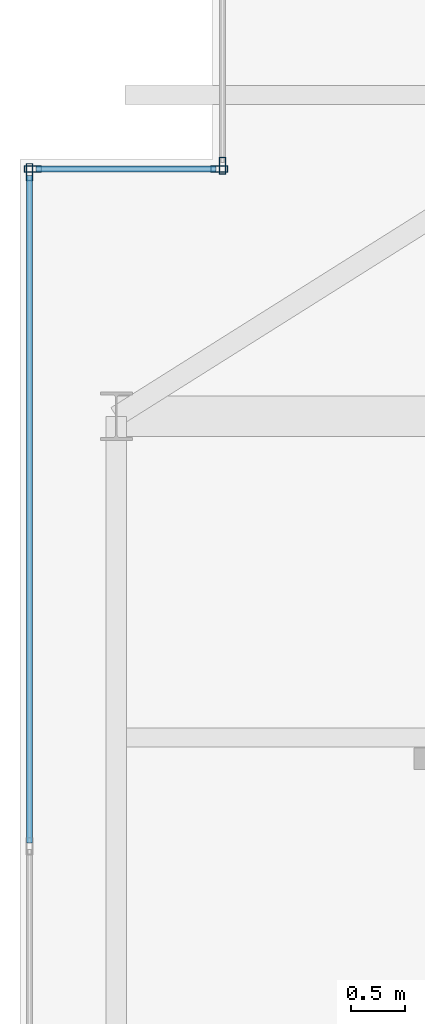
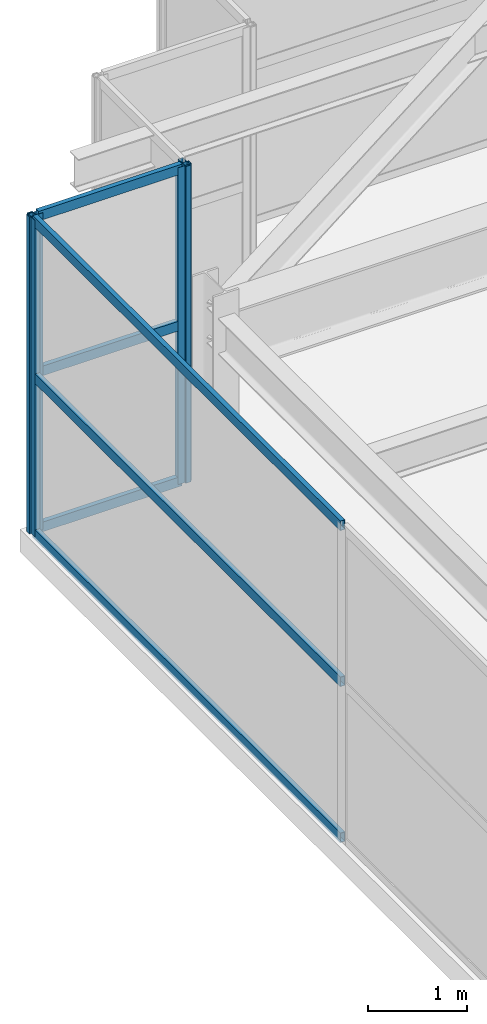
# One storey, part 20 of 32: 10 members, 3 elements without a shape of their own.
"""IFC4 building model written with IfcOpenShell, lengths in metres."""

from ifc_helpers import new_model, si_unit, direction, frame, origin, origin_2d, place, context, subcontext, project, spatial, hollow_rectangle, extrude, source, transform, mapped, material, layer, layer_set, material_profile, profile_set, type_object, element, aggregate, save


model = new_model("IFC4")

# Units and contexts
model_context = context("Model", 3, precision=1e-05, world=origin(), true_north=direction((0.0, 1.0)))
body_context = subcontext(model_context, "Body", "Model", "MODEL_VIEW")
ifc_project = project(units=[si_unit("LENGTHUNIT", "METRE"), si_unit("AREAUNIT", "SQUARE_METRE"), si_unit("VOLUMEUNIT", "CUBIC_METRE"), si_unit("PLANEANGLEUNIT", "RADIAN"), si_unit("MASSUNIT", "GRAM", prefix="KILO")], contexts=[model_context])

# Site, building, storey
site_placement = place(None, origin())
site = spatial("IfcSite", under=ifc_project, at=site_placement, CompositionType="ELEMENT")
building_placement = place(site_placement, origin())
building = spatial("IfcBuilding", under=site, at=building_placement, Name="Khoralis Quay Care Tower", CompositionType="ELEMENT")
storey_placement = place(building_placement, frame((0.0, 0.0, 297.89990234375)))
storey = spatial("IfcBuildingStorey", under=building, at=storey_placement, Name="L78", CompositionType="ELEMENT", Elevation=297.89990234375)

# Curtain wall, member
ifc_material = material(Name="Pale anodised aluminium", Category="aluminium")
ifc_layer = layer(ifc_material, 0.199951171875)
ifc_layer_set = layer_set([ifc_layer], Name="Pale anodised aluminium")
curtain_wall_type = type_object("IfcCurtainWallType", Name="CW-SYS-LANTERN", PredefinedType="NOTDEFINED", material=ifc_layer_set)
curtain_wall_1_placement = place(storey_placement, origin())
curtain_wall_1 = element("IfcCurtainWall", 1, at=curtain_wall_1_placement, inside=storey, type_object=curtain_wall_type, Name="L78 Unitised Curtain Wall CW-LN-L78-14", PredefinedType="NOTDEFINED")
ifc_material_profile_1 = material_profile(ifc_material, hollow_rectangle(XDim=0.06005859375, YDim=0.159912109375, WallThickness=0.00390625, at=origin_2d()), Name="Pale anodised aluminium")
ifc_profile_set_1 = profile_set([ifc_material_profile_1], Name="Pale anodised aluminium")
member_type_1 = type_object("IfcMemberType", Name="CW-MUL-160", PredefinedType="MULLION", material=ifc_profile_set_1)
shared_shape_1 = source(origin(), body_context, "Body", "SweptSolid", [
    extrude(hollow_rectangle(XDim=0.06005859375, YDim=0.159912109375, WallThickness=0.00390625, at=origin_2d()), origin(), (0.0, 0.0, 1.0), 3.920166015625),
])
member_1_placement = place(storey_placement, frame((4.889892578125, 38.340087890625, 0.0), z_axis=(0.0, 0.0, 1.0), x_axis=(1.0, 0.0, 0.0)))
member_1 = element("IfcMember", 2, at=member_1_placement, type_object=member_type_1, Name="CW5 mullion 2", PredefinedType="MULLION", context=body_context, shape_type="MappedRepresentation", body=[
    mapped(shared_shape_1, transform((0.0, 0.0, 0.0), scale=1.0)),
])
aggregate(curtain_wall_1, [member_1])

# Curtain wall, members
curtain_wall_2_placement = place(storey_placement, origin())
curtain_wall_2 = element("IfcCurtainWall", 3, at=curtain_wall_2_placement, inside=storey, type_object=curtain_wall_type, Name="L78 Unitised Curtain Wall CW-LN-L78-15", PredefinedType="NOTDEFINED")
member_2_placement = place(storey_placement, frame((4.860107421875, 38.31005859375, 0.0), z_axis=(0.0, 0.0, 1.0), x_axis=(0.0, -1.0, 0.0)))
member_2 = element("IfcMember", 4, at=member_2_placement, type_object=member_type_1, Name="CW5 mullion 1", PredefinedType="MULLION", context=body_context, shape_type="MappedRepresentation", body=[
    mapped(shared_shape_1, transform((0.0, 0.0, 0.0), scale=1.0)),
])
member_3_placement = place(storey_placement, frame((3.1201171875, 38.31005859375, 0.0), z_axis=(0.0, 0.0, 1.0), x_axis=(0.0, -1.0, 0.0)))
member_3 = element("IfcMember", 5, at=member_3_placement, type_object=member_type_1, Name="CW5 mullion 2", PredefinedType="MULLION", context=body_context, shape_type="MappedRepresentation", body=[
    mapped(shared_shape_1, transform((0.0, 0.0, 0.0), scale=1.0)),
])

curtain_wall_3_placement = place(storey_placement, origin())
curtain_wall_3 = element("IfcCurtainWall", 6, at=curtain_wall_3_placement, inside=storey, type_object=curtain_wall_type, Name="L78 Unitised Curtain Wall CW-LN-L78-16", PredefinedType="NOTDEFINED")
member_4_placement = place(storey_placement, frame((3.090087890625, 38.280029296875, 0.0), z_axis=(0.0, 0.0, 1.0), x_axis=(1.0, 0.0, 0.0)))
member_4 = element("IfcMember", 7, at=member_4_placement, type_object=member_type_1, Name="CW5 mullion 1", PredefinedType="MULLION", context=body_context, shape_type="MappedRepresentation", body=[
    mapped(shared_shape_1, transform((0.0, 0.0, 0.0), scale=1.0)),
])
ifc_material_profile_2 = material_profile(ifc_material, hollow_rectangle(XDim=0.054931640625, YDim=0.1201171875, WallThickness=0.00390625, at=origin_2d()), Name="Pale anodised aluminium")
ifc_profile_set_2 = profile_set([ifc_material_profile_2], Name="Pale anodised aluminium")
member_type_2 = type_object("IfcMemberType", Name="CW-TRN-120", PredefinedType="USERDEFINED", material=ifc_profile_set_2)
shared_shape_2 = source(origin(), body_context, "Body", "SweptSolid", [
    extrude(hollow_rectangle(XDim=0.054931640625, YDim=0.1201171875, WallThickness=0.00390625, at=origin_2d()), origin(), (0.0, 0.0, 1.0), 6.23388671875),
])
member_5_placement = place(storey_placement, frame((3.090087890625, 38.25, 0.030029296875), z_axis=(0.0, -1.0, 0.0), x_axis=(1.0, 0.0, 0.0)))
member_5 = element("IfcMember", 8, at=member_5_placement, type_object=member_type_2, Name="CW5 transom 1.1", ObjectType="TRANSOM", PredefinedType="USERDEFINED", context=body_context, shape_type="MappedRepresentation", body=[
    mapped(shared_shape_2, transform((0.0, 0.0, 0.0), scale=1.0)),
])
member_6_placement = place(storey_placement, frame((3.090087890625, 38.25, 1.960205078125), z_axis=(0.0, -1.0, 0.0), x_axis=(1.0, 0.0, 0.0)))
member_6 = element("IfcMember", 9, at=member_6_placement, type_object=member_type_2, Name="CW5 transom 1.2", ObjectType="TRANSOM", PredefinedType="USERDEFINED", context=body_context, shape_type="MappedRepresentation", body=[
    mapped(shared_shape_2, transform((0.0, 0.0, 0.0), scale=1.0)),
])
member_7_placement = place(storey_placement, frame((3.090087890625, 38.25, 3.89013671875), z_axis=(0.0, -1.0, 0.0), x_axis=(1.0, 0.0, 0.0)))
member_7 = element("IfcMember", 10, at=member_7_placement, type_object=member_type_2, Name="CW5 transom 1.3", ObjectType="TRANSOM", PredefinedType="USERDEFINED", context=body_context, shape_type="MappedRepresentation", body=[
    mapped(shared_shape_2, transform((0.0, 0.0, 0.0), scale=1.0)),
])
aggregate(curtain_wall_3, [member_4, member_5, member_6, member_7])

# Member
shared_shape_3 = source(origin(), body_context, "Body", "SweptSolid", [
    extrude(hollow_rectangle(XDim=0.054931640625, YDim=0.1201171875, WallThickness=0.00390625, at=origin_2d()), origin(), (0.0, 0.0, 1.0), 1.68017578125),
])
member_8_placement = place(storey_placement, frame((4.830078125, 38.31005859375, 0.030029296875), z_axis=(-1.0, 0.0, 0.0), x_axis=(0.0, -1.0, 0.0)))
member_8 = element("IfcMember", 11, at=member_8_placement, type_object=member_type_2, Name="CW5 transom 1.1", ObjectType="TRANSOM", PredefinedType="USERDEFINED", context=body_context, shape_type="MappedRepresentation", body=[
    mapped(shared_shape_3, transform((0.0, 0.0, 0.0), scale=1.0)),
])

member_9_placement = place(storey_placement, frame((4.830078125, 38.31005859375, 1.960205078125), z_axis=(-1.0, 0.0, 0.0), x_axis=(0.0, -1.0, 0.0)))
member_9 = element("IfcMember", 12, at=member_9_placement, type_object=member_type_2, Name="CW5 transom 1.2", ObjectType="TRANSOM", PredefinedType="USERDEFINED", context=body_context, shape_type="MappedRepresentation", body=[
    mapped(shared_shape_3, transform((0.0, 0.0, 0.0), scale=1.0)),
])

member_10_placement = place(storey_placement, frame((4.830078125, 38.31005859375, 3.89013671875), z_axis=(-1.0, 0.0, 0.0), x_axis=(0.0, -1.0, 0.0)))
member_10 = element("IfcMember", 13, at=member_10_placement, type_object=member_type_2, Name="CW5 transom 1.3", ObjectType="TRANSOM", PredefinedType="USERDEFINED", context=body_context, shape_type="MappedRepresentation", body=[
    mapped(shared_shape_3, transform((0.0, 0.0, 0.0), scale=1.0)),
])

aggregate(curtain_wall_2, [member_2, member_3, member_8, member_9, member_10])

save(model, "model.ifc")
